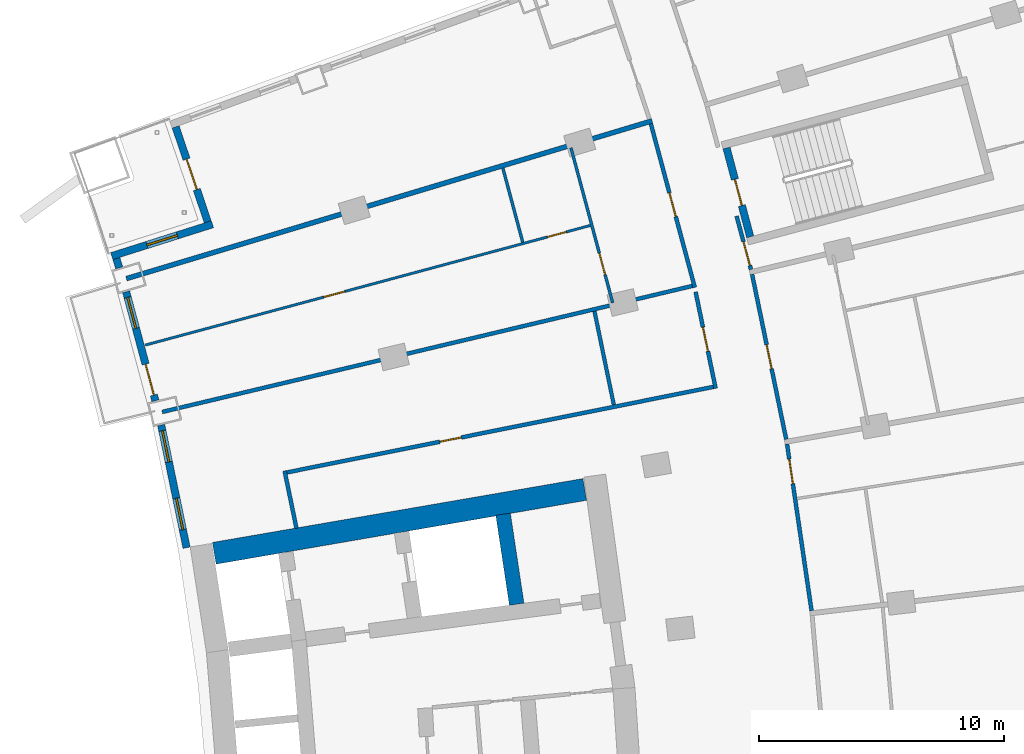
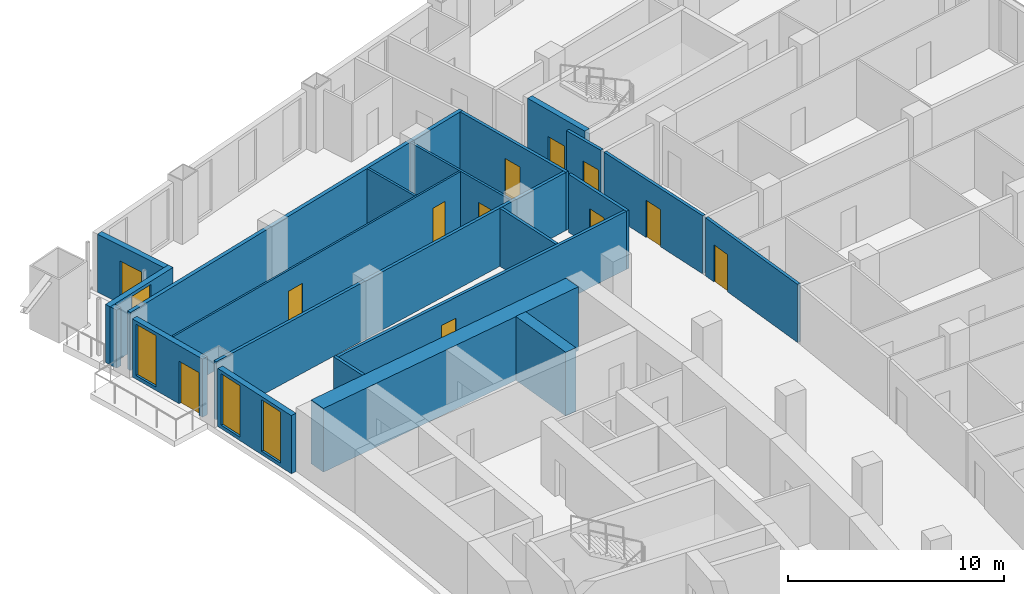
# One storey, part 19 of 25: 21 walls, 12 doors, 4 windows, 16 openings.
"""IFC4 building model written with IfcOpenShell, lengths in metres."""

from ifc_helpers import new_model, si_unit, direction, frame, frame_2d, origin, place, context, subcontext, project, spatial, rectangle, extrude, material, layer, layer_set, type_object, element, fill, save


model = new_model("IFC4")

# Units and contexts
model_context = context("Model", 3, precision=1e-05, world=origin(), true_north=direction((0.0, 1.0)))
body_context = subcontext(model_context, "Body", "Model", "MODEL_VIEW")
ifc_project = project(units=[si_unit("LENGTHUNIT", "METRE"), si_unit("AREAUNIT", "SQUARE_METRE"), si_unit("VOLUMEUNIT", "CUBIC_METRE"), si_unit("PLANEANGLEUNIT", "RADIAN"), si_unit("MASSUNIT", "GRAM", prefix="KILO")], contexts=[model_context])

# Site, building, storey
site_placement = place(None, origin())
site = spatial("IfcSite", under=ifc_project, at=site_placement, CompositionType="ELEMENT")
building_placement = place(site_placement, origin())
building = spatial("IfcBuilding", under=site, at=building_placement, Name="Alderwake Tower", CompositionType="ELEMENT")
storey_placement = place(building_placement, frame((0.0, 0.0, 46.39990234375)))
storey = spatial("IfcBuildingStorey", under=building, at=storey_placement, Name="L10", CompositionType="ELEMENT", Elevation=46.39990234375)

# Walls
ifc_material_1 = material(Name="Concrete C70/85", Category="concrete")
ifc_layer_1 = layer(ifc_material_1, 0.89990234375)
ifc_layer_set_1 = layer_set([ifc_layer_1], Name="Core wall outer 900 C70-85")
wall_type_1 = type_object("IfcWallType", Name="Core wall outer 900 C70-85", PredefinedType="SHEAR", material=ifc_layer_set_1)
wall_1_placement = place(storey_placement, frame((16.005615234375, 77.548828125, 0.0), z_axis=(0.0, 0.0, 1.0), x_axis=(0.985465815888, 0.169873852363, 0.0)))
element("IfcWall", 1, at=wall_1_placement, inside=storey, type_object=wall_type_1, Name="Core wall CW.053", PredefinedType="SHEAR", context=body_context, shape_type="SweptSolid", body=[
    extrude(rectangle(XDim=15.33056640625, YDim=0.89990234375, at=frame_2d((7.665283203125, 0.0))), origin(), (0.0, 0.0, 1.0), 3.60009765625),
])
ifc_material_2 = material(Name="Concrete C70/85", Category="concrete")
ifc_layer_2 = layer(ifc_material_2, 0.60009765625)
ifc_layer_set_2 = layer_set([ifc_layer_2], Name="Core wall spine 600 C70-85")
wall_type_2 = type_object("IfcWallType", Name="Core wall spine 600 C70-85", PredefinedType="SHEAR", material=ifc_layer_set_2)
wall_2_placement = place(storey_placement, frame((28.337646484375, 75.472412109375, 0.0), z_axis=(0.0, 0.0, 1.0), x_axis=(-0.149224787751, 0.988803298296, 0.0)))
element("IfcWall", 2, at=wall_2_placement, inside=storey, type_object=wall_type_2, Name="Core wall CW.001", PredefinedType="SHEAR", context=body_context, shape_type="SweptSolid", body=[
    extrude(rectangle(XDim=3.712158203125, YDim=0.60009765625, at=frame_2d((1.85595703125, 0.0))), origin(), (0.0, 0.0, 1.0), 3.60009765625),
])

# Wall, opening, door
ifc_material_3 = material(Name="Concrete C70/85", Category="concrete")
ifc_layer_3 = layer(ifc_material_3, 0.300048828125)
ifc_layer_set_3 = layer_set([ifc_layer_3], Name="Core wall stair enclosure 300 C70-85")
wall_type_3 = type_object("IfcWallType", Name="Core wall stair enclosure 300 C70-85", PredefinedType="SHEAR", material=ifc_layer_set_3)
wall_3_placement = place(storey_placement, frame((37.8603515625, 90.452392578125, 0.0), z_axis=(0.0, 0.0, 1.0), x_axis=(-0.257411420208, 0.966301899381, 0.0)))
wall_3 = element("IfcWall", 3, at=wall_3_placement, inside=storey, type_object=wall_type_3, Name="Core wall CW.083", PredefinedType="SHEAR", context=body_context, shape_type="SweptSolid", body=[
    extrude(rectangle(XDim=3.750244140625, YDim=0.300048828125, at=frame_2d((1.875, 0.0))), origin(), (0.0, 0.0, 1.0), 3.60009765625),
])
opening_1_placement = place(wall_3_placement, frame((1.324951171875, 0.0, 0.0)))
opening_1 = element("IfcOpeningElement", 4, at=opening_1_placement, cuts=wall_3, Name="Opening C062", PredefinedType="OPENING", context=body_context, shape_type="SweptSolid", body=[
    extrude(rectangle(XDim=1.10009765625, YDim=2.10009765625, at=frame_2d((0.550048828125, 1.050048828125))), frame((0.0, 0.159912109375, 0.0), z_axis=(0.0, -1.0, 0.0), x_axis=(1.0, 0.0, 0.0)), (0.0, 0.0, 1.0), 0.320068359375),
])
ifc_material_4 = material(Name="Steel-framed fire door leaf", Category="steel")
door_type_1 = type_object("IfcDoorType", Name="Core stair door 1100 fire-rated", OperationType="SINGLE_SWING_LEFT", PredefinedType="DOOR", material=ifc_material_4)
door_1_placement = place(opening_1_placement, origin())
door_1 = element("IfcDoor", 5, at=door_1_placement, inside=storey, type_object=door_type_1, Name="Stair door", OperationType="SINGLE_SWING_RIGHT", OverallHeight=2.10009765625, OverallWidth=1.10009765625, PredefinedType="DOOR", context=body_context, shape_type="SweptSolid", body=[
    extrude(rectangle(XDim=1.10009765625, YDim=2.10009765625, at=frame_2d((0.550048828125, 1.050048828125))), frame((0.0, 0.02490234375, 0.0), z_axis=(0.0, -1.0, 0.0), x_axis=(1.0, 0.0, 0.0)), (0.0, 0.0, 1.0), 0.050048828125),
])
fill(opening_1, door_1)

# Wall
ifc_material_5 = material(Name="Gypsum board on metal studs, rated")
ifc_layer_4 = layer(ifc_material_5, 0.159912109375)
ifc_layer_set_4 = layer_set([ifc_layer_4], Name="Corridor wall 160")
wall_type_4 = type_object("IfcWallType", Name="Corridor wall 160", PredefinedType="PARTITIONING", material=ifc_layer_set_4)
wall_4_placement = place(storey_placement, frame((18.874755859375, 80.910400390625, 0.0), z_axis=(0.0, 0.0, 1.0), x_axis=(0.202312089075, -0.979321100873, 0.0)))
element("IfcWall", 6, at=wall_4_placement, inside=storey, type_object=wall_type_4, Name="WL/L10/W16", PredefinedType="PARTITIONING", context=body_context, shape_type="SweptSolid", body=[
    extrude(rectangle(XDim=2.39306640625, YDim=0.159912109375, at=frame_2d((1.196533203125, 0.0))), origin(), (0.0, 0.0, 1.0), 3.280029296875),
])

# Wall, opening, door
wall_5_placement = place(storey_placement, frame((35.600830078125, 88.392578125, 0.0), z_axis=(0.0, 0.0, 1.0), x_axis=(-0.2593979597, 0.965770520622, 0.0)))
wall_5 = element("IfcWall", 7, at=wall_5_placement, inside=storey, type_object=wall_type_4, Name="WL/L10/W21", PredefinedType="PARTITIONING", context=body_context, shape_type="SweptSolid", body=[
    extrude(rectangle(XDim=6.9072265625, YDim=0.159912109375, at=frame_2d((3.45361328125, 0.0))), origin(), (0.0, 0.0, 1.0), 3.280029296875),
])
opening_2_placement = place(wall_5_placement, frame((2.9931640625, 0.0, 0.0)))
opening_2 = element("IfcOpeningElement", 8, at=opening_2_placement, cuts=wall_5, Name="Opening R02-U13.1", PredefinedType="OPENING", context=body_context, shape_type="SweptSolid", body=[
    extrude(rectangle(XDim=1.0, YDim=2.10009765625, at=frame_2d((0.5, 1.050048828125))), frame((0.0, 0.08984375, 0.0), z_axis=(0.0, -1.0, 0.0), x_axis=(1.0, 0.0, 0.0)), (0.0, 0.0, 1.0), 0.179931640625),
])
ifc_material_6 = material(Name="Solid timber leaf in steel frame", Category="steel")
door_type_2 = type_object("IfcDoorType", Name="Flat entrance door 1000 fire-rated", OperationType="SINGLE_SWING_LEFT", PredefinedType="DOOR", material=ifc_material_6)
door_2_placement = place(opening_2_placement, origin())
door_2 = element("IfcDoor", 9, at=door_2_placement, inside=storey, type_object=door_type_2, Name="DR/L10/U13.1", OperationType="SINGLE_SWING_LEFT", OverallHeight=2.10009765625, OverallWidth=1.0, PredefinedType="DOOR", context=body_context, shape_type="SweptSolid", body=[
    extrude(rectangle(XDim=1.0, YDim=2.10009765625, at=frame_2d((0.5, 1.050048828125))), frame((0.0, 0.02490234375, 0.0), z_axis=(0.0, -1.0, 0.0), x_axis=(1.0, 0.0, 0.0)), (0.0, 0.0, 1.0), 0.050048828125),
])
fill(opening_2, door_2)

# Wall
wall_6_placement = place(storey_placement, frame((35.502197265625, 88.451416015625, 0.0), z_axis=(0.0, 0.0, 1.0), x_axis=(-0.972894913244, -0.231247676278, 0.0)))
element("IfcWall", 10, at=wall_6_placement, inside=storey, type_object=wall_type_4, Name="WL/L10/W23", PredefinedType="PARTITIONING", context=body_context, shape_type="SweptSolid", body=[
    extrude(rectangle(XDim=22.220458984375, YDim=0.159912109375, at=frame_2d((11.1103515625, 0.0))), origin(), (0.0, 0.0, 1.0), 3.280029296875),
])

# Wall, opening, door
wall_7_placement = place(storey_placement, frame((36.451416015625, 84.272705078125, 0.0), z_axis=(0.0, 0.0, 1.0), x_axis=(-0.203258199701, 0.979125172924, 0.0)))
wall_7 = element("IfcWall", 11, at=wall_7_placement, inside=storey, type_object=wall_type_4, Name="WL/L10/W24", PredefinedType="PARTITIONING", context=body_context, shape_type="SweptSolid", body=[
    extrude(rectangle(XDim=4.020263671875, YDim=0.159912109375, at=frame_2d((2.01025390625, 0.0))), origin(), (0.0, 0.0, 1.0), 3.280029296875),
])
opening_3_placement = place(wall_7_placement, frame((1.549560546875, 0.0, 0.0)))
opening_3 = element("IfcOpeningElement", 12, at=opening_3_placement, cuts=wall_7, Name="Opening R02-SBN2", PredefinedType="OPENING", context=body_context, shape_type="SweptSolid", body=[
    extrude(rectangle(XDim=1.0, YDim=2.10009765625, at=frame_2d((0.5, 1.050048828125))), frame((0.0, 0.08984375, 0.0), z_axis=(0.0, -1.0, 0.0), x_axis=(1.0, 0.0, 0.0)), (0.0, 0.0, 1.0), 0.179931640625),
])
ifc_material_7 = material(Name="Steel-framed fire door leaf", Category="steel")
door_type_3 = type_object("IfcDoorType", Name="Plant room door 1000 fire-rated", OperationType="SINGLE_SWING_LEFT", PredefinedType="DOOR", material=ifc_material_7)
door_3_placement = place(opening_3_placement, origin())
door_3 = element("IfcDoor", 13, at=door_3_placement, inside=storey, type_object=door_type_3, Name="DR/L10/SBN2", OperationType="SINGLE_SWING_LEFT", OverallHeight=2.10009765625, OverallWidth=1.0, PredefinedType="DOOR", context=body_context, shape_type="SweptSolid", body=[
    extrude(rectangle(XDim=1.0, YDim=2.10009765625, at=frame_2d((0.5, 1.050048828125))), frame((0.0, 0.02490234375, 0.0), z_axis=(0.0, -1.0, 0.0), x_axis=(1.0, 0.0, 0.0)), (0.0, 0.0, 1.0), 0.050048828125),
])
fill(opening_3, door_3)

wall_8_placement = place(storey_placement, frame((18.969482421875, 80.84765625, 0.0), z_axis=(0.0, 0.0, 1.0), x_axis=(0.980470914622, 0.196664144112, 0.0)))
wall_8 = element("IfcWall", 14, at=wall_8_placement, inside=storey, type_object=wall_type_4, Name="WL/L10/W28", PredefinedType="PARTITIONING", context=body_context, shape_type="SweptSolid", body=[
    extrude(rectangle(XDim=17.733642578125, YDim=0.159912109375, at=frame_2d((8.86669921875, 0.0))), origin(), (0.0, 0.0, 1.0), 3.280029296875),
])
opening_4_placement = place(wall_8_placement, frame((6.35693359375, 0.0, 0.0)))
opening_4 = element("IfcOpeningElement", 15, at=opening_4_placement, cuts=wall_8, Name="Opening R02-SBN1", PredefinedType="OPENING", context=body_context, shape_type="SweptSolid", body=[
    extrude(rectangle(XDim=0.89990234375, YDim=2.10009765625, at=frame_2d((0.449951171875, 1.050048828125))), frame((0.0, 0.08984375, 0.0), z_axis=(0.0, -1.0, 0.0), x_axis=(1.0, 0.0, 0.0)), (0.0, 0.0, 1.0), 0.179931640625),
])
ifc_material_8 = material(Name="Painted timber leaf", Category="wood")
door_type_4 = type_object("IfcDoorType", Name="Room door 900", OperationType="SINGLE_SWING_LEFT", PredefinedType="DOOR", material=ifc_material_8)
door_4_placement = place(opening_4_placement, origin())
door_4 = element("IfcDoor", 16, at=door_4_placement, inside=storey, type_object=door_type_4, Name="DR/L10/SBN1", OperationType="SINGLE_SWING_LEFT", OverallHeight=2.10009765625, OverallWidth=0.89990234375, PredefinedType="DOOR", context=body_context, shape_type="SweptSolid", body=[
    extrude(rectangle(XDim=0.89990234375, YDim=2.10009765625, at=frame_2d((0.449951171875, 1.050048828125))), frame((0.0, 0.02490234375, 0.0), z_axis=(0.0, -1.0, 0.0), x_axis=(1.0, 0.0, 0.0)), (0.0, 0.0, 1.0), 0.050048828125),
])
fill(opening_4, door_4)

wall_9_placement = place(storey_placement, frame((37.304931640625, 91.299072265625, 0.0), z_axis=(0.0, 0.0, 1.0), x_axis=(0.259946294884, -0.965623075416, 0.0)))
wall_9 = element("IfcWall", 17, at=wall_9_placement, inside=storey, type_object=wall_type_4, Name="WL/L10/W32", PredefinedType="PARTITIONING", context=body_context, shape_type="SweptSolid", body=[
    extrude(rectangle(XDim=2.255126953125, YDim=0.159912109375, at=frame_2d((1.12744140625, 0.0))), origin(), (0.0, 0.0, 1.0), 3.280029296875),
])
opening_5_placement = place(wall_9_placement, frame((1.083984375, 0.0, 0.0)))
opening_5 = element("IfcOpeningElement", 18, at=opening_5_placement, cuts=wall_9, Name="Opening R02-U02.1", PredefinedType="OPENING", context=body_context, shape_type="SweptSolid", body=[
    extrude(rectangle(XDim=1.0, YDim=2.10009765625, at=frame_2d((0.5, 1.050048828125))), frame((0.0, 0.08984375, 0.0), z_axis=(0.0, -1.0, 0.0), x_axis=(1.0, 0.0, 0.0)), (0.0, 0.0, 1.0), 0.179931640625),
])
door_5_placement = place(opening_5_placement, origin())
door_5 = element("IfcDoor", 19, at=door_5_placement, inside=storey, type_object=door_type_2, Name="DR/L10/U02.1", OperationType="SINGLE_SWING_LEFT", OverallHeight=2.10009765625, OverallWidth=1.0, PredefinedType="DOOR", context=body_context, shape_type="SweptSolid", body=[
    extrude(rectangle(XDim=1.0, YDim=2.10009765625, at=frame_2d((0.5, 1.050048828125))), frame((0.0, 0.02490234375, 0.0), z_axis=(0.0, -1.0, 0.0), x_axis=(1.0, 0.0, 0.0)), (0.0, 0.0, 1.0), 0.050048828125),
])
fill(opening_5, door_5)

wall_10_placement = place(storey_placement, frame((37.937255859375, 88.927001953125, 0.0), z_axis=(0.0, 0.0, 1.0), x_axis=(0.20241288737, -0.979300272147, 0.0)))
wall_10 = element("IfcWall", 20, at=wall_10_placement, inside=storey, type_object=wall_type_4, Name="WL/L10/W34", PredefinedType="PARTITIONING", context=body_context, shape_type="SweptSolid", body=[
    extrude(rectangle(XDim=6.870361328125, YDim=0.159912109375, at=frame_2d((3.43505859375, 0.0))), origin(), (0.0, 0.0, 1.0), 3.280029296875),
])
opening_6_placement = place(wall_10_placement, frame((2.93505859375, 0.0, 0.0)))
opening_6 = element("IfcOpeningElement", 21, at=opening_6_placement, cuts=wall_10, Name="Opening R02-U10.2", PredefinedType="OPENING", context=body_context, shape_type="SweptSolid", body=[
    extrude(rectangle(XDim=1.0, YDim=2.10009765625, at=frame_2d((0.5, 1.050048828125))), frame((0.0, 0.08984375, 0.0), z_axis=(0.0, -1.0, 0.0), x_axis=(1.0, 0.0, 0.0)), (0.0, 0.0, 1.0), 0.179931640625),
])
door_6_placement = place(opening_6_placement, origin())
door_6 = element("IfcDoor", 22, at=door_6_placement, inside=storey, type_object=door_type_2, Name="DR/L10/U10.2", OperationType="SINGLE_SWING_LEFT", OverallHeight=2.10009765625, OverallWidth=1.0, PredefinedType="DOOR", context=body_context, shape_type="SweptSolid", body=[
    extrude(rectangle(XDim=1.0, YDim=2.10009765625, at=frame_2d((0.5, 1.050048828125))), frame((0.0, 0.02490234375, 0.0), z_axis=(0.0, -1.0, 0.0), x_axis=(1.0, 0.0, 0.0)), (0.0, 0.0, 1.0), 0.050048828125),
])
fill(opening_6, door_6)

wall_11_placement = place(storey_placement, frame((39.362548828125, 82.001953125, 0.0), z_axis=(0.0, 0.0, 1.0), x_axis=(0.145565626222, -0.98934859805, 0.0)))
wall_11 = element("IfcWall", 23, at=wall_11_placement, inside=storey, type_object=wall_type_4, Name="WL/L10/W35", PredefinedType="PARTITIONING", context=body_context, shape_type="SweptSolid", body=[
    extrude(rectangle(XDim=6.8681640625, YDim=0.159912109375, at=frame_2d((3.43408203125, 0.0))), origin(), (0.0, 0.0, 1.0), 3.280029296875),
])
opening_7_placement = place(wall_11_placement, frame((0.627685546875, 0.0, 0.0)))
opening_7 = element("IfcOpeningElement", 24, at=opening_7_placement, cuts=wall_11, Name="Opening R02-U09.3", PredefinedType="OPENING", context=body_context, shape_type="SweptSolid", body=[
    extrude(rectangle(XDim=1.0, YDim=2.10009765625, at=frame_2d((0.5, 1.050048828125))), frame((0.0, 0.08984375, 0.0), z_axis=(0.0, -1.0, 0.0), x_axis=(1.0, 0.0, 0.0)), (0.0, 0.0, 1.0), 0.179931640625),
])
door_7_placement = place(opening_7_placement, origin())
door_7 = element("IfcDoor", 25, at=door_7_placement, inside=storey, type_object=door_type_2, Name="DR/L10/U09.3", OperationType="SINGLE_SWING_LEFT", OverallHeight=2.10009765625, OverallWidth=1.0, PredefinedType="DOOR", context=body_context, shape_type="SweptSolid", body=[
    extrude(rectangle(XDim=1.0, YDim=2.10009765625, at=frame_2d((0.5, 1.050048828125))), frame((0.0, 0.02490234375, 0.0), z_axis=(0.0, -1.0, 0.0), x_axis=(1.0, 0.0, 0.0)), (0.0, 0.0, 1.0), 0.050048828125),
])
fill(opening_7, door_7)

# Wall
ifc_material_9 = material(Name="Precast concrete C50/60 spandrel panel", Category="concrete")
ifc_layer_5 = layer(ifc_material_9, 0.300048828125)
ifc_layer_set_5 = layer_set([ifc_layer_5], Name="External wall EW1 Precast concrete C50/60 spandrel")
wall_type_5 = type_object("IfcWallType", Name="External wall EW1 Precast concrete C50/60 spandrel", PredefinedType="SOLIDWALL", material=ifc_layer_set_5)
wall_12_placement = place(storey_placement, frame((12.01416015625, 89.5703125, 0.0), z_axis=(0.0, 0.0, 1.0), x_axis=(0.29468230117, -0.955595281161, 0.0)))
element("IfcWall", 26, at=wall_12_placement, inside=storey, type_object=wall_type_5, Name="External wall 32", PredefinedType="SOLIDWALL", context=body_context, shape_type="SweptSolid", body=[
    extrude(rectangle(XDim=0.402587890625, YDim=0.300048828125, at=frame_2d((0.201171875, 0.0))), origin(), (0.0, 0.0, 1.0), 3.280029296875),
])

# Wall, openings, door, window
wall_13_placement = place(storey_placement, frame((12.4130859375, 88.212890625, 0.0), z_axis=(0.0, 0.0, 1.0), x_axis=(0.259495671332, -0.965744270788, 0.0)))
wall_13 = element("IfcWall", 27, at=wall_13_placement, inside=storey, type_object=wall_type_5, Name="External wall 33", PredefinedType="SOLIDWALL", context=body_context, shape_type="SweptSolid", body=[
    extrude(rectangle(XDim=4.599609375, YDim=0.300048828125, at=frame_2d((2.2998046875, 0.0))), origin(), (0.0, 0.0, 1.0), 3.280029296875),
])
opening_8_placement = place(wall_13_placement, frame((0.2412109375, 0.0, 0.199951171875)))
opening_8 = element("IfcOpeningElement", 28, at=opening_8_placement, cuts=wall_13, Name="Opening W1", PredefinedType="OPENING", context=body_context, shape_type="SweptSolid", body=[
    extrude(rectangle(XDim=1.300048828125, YDim=2.89990234375, at=frame_2d((0.64990234375, 1.449951171875))), frame((0.0, 0.159912109375, 0.0), z_axis=(0.0, -1.0, 0.0), x_axis=(1.0, 0.0, 0.0)), (0.0, 0.0, 1.0), 0.320068359375),
])
opening_9_placement = place(wall_13_placement, frame((3.058349609375, 0.0, 0.0)))
opening_9 = element("IfcOpeningElement", 29, at=opening_9_placement, cuts=wall_13, Name="Opening D15", PredefinedType="OPENING", context=body_context, shape_type="SweptSolid", body=[
    extrude(rectangle(XDim=1.300048828125, YDim=2.39990234375, at=frame_2d((0.64990234375, 1.199951171875))), frame((0.0, 0.159912109375, 0.0), z_axis=(0.0, -1.0, 0.0), x_axis=(1.0, 0.0, 0.0)), (0.0, 0.0, 1.0), 0.320068359375),
])
ifc_material_10 = material(Name="Bronze tinted glass in aluminium frame", Category="aluminium")
door_type_5 = type_object("IfcDoorType", Name="Balcony door BD sliding", OperationType="SLIDING_TO_LEFT", PredefinedType="DOOR", material=ifc_material_10)
door_8_placement = place(opening_9_placement, origin())
door_8 = element("IfcDoor", 30, at=door_8_placement, inside=storey, type_object=door_type_5, Name="Door D15", OperationType="SLIDING_TO_LEFT", OverallHeight=2.39990234375, OverallWidth=1.300048828125, PredefinedType="DOOR", context=body_context, shape_type="SweptSolid", body=[
    extrude(rectangle(XDim=1.300048828125, YDim=2.39990234375, at=frame_2d((0.64990234375, 1.199951171875))), frame((0.0, 0.02490234375, 0.0), z_axis=(0.0, -1.0, 0.0), x_axis=(1.0, 0.0, 0.0)), (0.0, 0.0, 1.0), 0.050048828125),
])
fill(opening_9, door_8)
ifc_material_11 = material(Name="Bronze tinted glass in aluminium frame", Category="aluminium")
window_type = type_object("IfcWindowType", Name="Window W1 tall fixed and vent", PartitioningType="DOUBLE_PANEL_VERTICAL", PredefinedType="WINDOW", material=ifc_material_11)
window_1_placement = place(opening_8_placement, origin())
window_1 = element("IfcWindow", 31, at=window_1_placement, inside=storey, type_object=window_type, Name="Window W1 tall fixed and vent", OverallHeight=2.89990234375, OverallWidth=1.300048828125, PartitioningType="DOUBLE_PANEL_VERTICAL", PredefinedType="WINDOW", context=body_context, shape_type="SweptSolid", body=[
    extrude(rectangle(XDim=1.300048828125, YDim=2.89990234375, at=frame_2d((0.64990234375, 1.449951171875))), frame((0.0, 0.030029296875, 0.0), z_axis=(0.0, -1.0, 0.0), x_axis=(1.0, 0.0, 0.0)), (0.0, 0.0, 1.0), 0.06005859375),
])
fill(opening_8, window_1)

# Wall, openings, windows
wall_14_placement = place(storey_placement, frame((13.842529296875, 82.77880859375, 0.0), z_axis=(0.0, 0.0, 1.0), x_axis=(0.202738354746, -0.979232944459, 0.0)))
wall_14 = element("IfcWall", 32, at=wall_14_placement, inside=storey, type_object=wall_type_5, Name="External wall 34", PredefinedType="SOLIDWALL", context=body_context, shape_type="SweptSolid", body=[
    extrude(rectangle(XDim=5.1083984375, YDim=0.300048828125, at=frame_2d((2.55419921875, 0.0))), origin(), (0.0, 0.0, 1.0), 3.280029296875),
])
opening_10_placement = place(wall_14_placement, frame((0.239013671875, 0.0, 0.199951171875)))
opening_10 = element("IfcOpeningElement", 33, at=opening_10_placement, cuts=wall_14, Name="Opening W1", PredefinedType="OPENING", context=body_context, shape_type="SweptSolid", body=[
    extrude(rectangle(XDim=1.300048828125, YDim=2.89990234375, at=frame_2d((0.64990234375, 1.449951171875))), frame((0.0, 0.159912109375, 0.0), z_axis=(0.0, -1.0, 0.0), x_axis=(1.0, 0.0, 0.0)), (0.0, 0.0, 1.0), 0.320068359375),
])
opening_11_placement = place(wall_14_placement, frame((3.0517578125, 0.0, 0.199951171875)))
opening_11 = element("IfcOpeningElement", 34, at=opening_11_placement, cuts=wall_14, Name="Opening W1", PredefinedType="OPENING", context=body_context, shape_type="SweptSolid", body=[
    extrude(rectangle(XDim=1.300048828125, YDim=2.89990234375, at=frame_2d((0.64990234375, 1.449951171875))), frame((0.0, 0.159912109375, 0.0), z_axis=(0.0, -1.0, 0.0), x_axis=(1.0, 0.0, 0.0)), (0.0, 0.0, 1.0), 0.320068359375),
])
window_2_placement = place(opening_10_placement, origin())
window_2 = element("IfcWindow", 35, at=window_2_placement, inside=storey, type_object=window_type, Name="Window W1 tall fixed and vent", OverallHeight=2.89990234375, OverallWidth=1.300048828125, PartitioningType="DOUBLE_PANEL_VERTICAL", PredefinedType="WINDOW", context=body_context, shape_type="SweptSolid", body=[
    extrude(rectangle(XDim=1.300048828125, YDim=2.89990234375, at=frame_2d((0.64990234375, 1.449951171875))), frame((0.0, 0.030029296875, 0.0), z_axis=(0.0, -1.0, 0.0), x_axis=(1.0, 0.0, 0.0)), (0.0, 0.0, 1.0), 0.06005859375),
])
fill(opening_10, window_2)
window_3_placement = place(opening_11_placement, origin())
window_3 = element("IfcWindow", 36, at=window_3_placement, inside=storey, type_object=window_type, Name="Window W1 tall fixed and vent", OverallHeight=2.89990234375, OverallWidth=1.300048828125, PartitioningType="DOUBLE_PANEL_VERTICAL", PredefinedType="WINDOW", context=body_context, shape_type="SweptSolid", body=[
    extrude(rectangle(XDim=1.300048828125, YDim=2.89990234375, at=frame_2d((0.64990234375, 1.449951171875))), frame((0.0, 0.030029296875, 0.0), z_axis=(0.0, -1.0, 0.0), x_axis=(1.0, 0.0, 0.0)), (0.0, 0.0, 1.0), 0.06005859375),
])
fill(opening_11, window_3)

# Wall, opening, door
ifc_material_12 = material(Name="Bronze metal cladding on lightweight framing")
ifc_layer_6 = layer(ifc_material_12, 0.300048828125)
ifc_layer_set_6 = layer_set([ifc_layer_6], Name="External wall EW2 bronze metal cladding")
wall_type_6 = type_object("IfcWallType", Name="External wall EW2 bronze metal cladding", PredefinedType="SOLIDWALL", material=ifc_layer_set_6)
wall_15_placement = place(storey_placement, frame((14.430908203125, 94.937744140625, 0.0), z_axis=(0.0, 0.0, 1.0), x_axis=(0.320379458656, -0.947289291859, 0.0)))
wall_15 = element("IfcWall", 37, at=wall_15_placement, inside=storey, type_object=wall_type_6, Name="External wall 30", PredefinedType="SOLIDWALL", context=body_context, shape_type="SweptSolid", body=[
    extrude(rectangle(XDim=4.08984375, YDim=0.300048828125, at=frame_2d((2.044921875, 0.0))), origin(), (0.0, 0.0, 1.0), 3.280029296875),
])
opening_12_placement = place(wall_15_placement, frame((1.39501953125, 0.0, 0.0)))
opening_12 = element("IfcOpeningElement", 38, at=opening_12_placement, cuts=wall_15, Name="Opening D14", PredefinedType="OPENING", context=body_context, shape_type="SweptSolid", body=[
    extrude(rectangle(XDim=1.300048828125, YDim=2.39990234375, at=frame_2d((0.64990234375, 1.199951171875))), frame((0.0, 0.159912109375, 0.0), z_axis=(0.0, -1.0, 0.0), x_axis=(1.0, 0.0, 0.0)), (0.0, 0.0, 1.0), 0.320068359375),
])
door_9_placement = place(opening_12_placement, origin())
door_9 = element("IfcDoor", 39, at=door_9_placement, inside=storey, type_object=door_type_5, Name="Door D14", OperationType="SLIDING_TO_LEFT", OverallHeight=2.39990234375, OverallWidth=1.300048828125, PredefinedType="DOOR", context=body_context, shape_type="SweptSolid", body=[
    extrude(rectangle(XDim=1.300048828125, YDim=2.39990234375, at=frame_2d((0.64990234375, 1.199951171875))), frame((0.0, 0.02490234375, 0.0), z_axis=(0.0, -1.0, 0.0), x_axis=(1.0, 0.0, 0.0)), (0.0, 0.0, 1.0), 0.050048828125),
])
fill(opening_12, door_9)

# Wall, opening, window
wall_16_placement = place(storey_placement, frame((15.932373046875, 90.966552734375, 0.0), z_axis=(0.0, 0.0, 1.0), x_axis=(-0.953473772386, -0.301475978103, 0.0)))
wall_16 = element("IfcWall", 40, at=wall_16_placement, inside=storey, type_object=wall_type_6, Name="External wall 31", PredefinedType="SOLIDWALL", context=body_context, shape_type="SweptSolid", body=[
    extrude(rectangle(XDim=4.305908203125, YDim=0.300048828125, at=frame_2d((2.15283203125, 0.0))), origin(), (0.0, 0.0, 1.0), 3.280029296875),
])
opening_13_placement = place(wall_16_placement, frame((1.5029296875, 0.0, 0.199951171875)))
opening_13 = element("IfcOpeningElement", 41, at=opening_13_placement, cuts=wall_16, Name="Opening W1", PredefinedType="OPENING", context=body_context, shape_type="SweptSolid", body=[
    extrude(rectangle(XDim=1.300048828125, YDim=2.89990234375, at=frame_2d((0.64990234375, 1.449951171875))), frame((0.0, 0.159912109375, 0.0), z_axis=(0.0, -1.0, 0.0), x_axis=(1.0, 0.0, 0.0)), (0.0, 0.0, 1.0), 0.320068359375),
])
window_4_placement = place(opening_13_placement, origin())
window_4 = element("IfcWindow", 42, at=window_4_placement, inside=storey, type_object=window_type, Name="Window W1 tall fixed and vent", OverallHeight=2.89990234375, OverallWidth=1.300048828125, PartitioningType="DOUBLE_PANEL_VERTICAL", PredefinedType="WINDOW", context=body_context, shape_type="SweptSolid", body=[
    extrude(rectangle(XDim=1.300048828125, YDim=2.89990234375, at=frame_2d((0.64990234375, 1.449951171875))), frame((0.0, 0.030029296875, 0.0), z_axis=(0.0, -1.0, 0.0), x_axis=(1.0, 0.0, 0.0)), (0.0, 0.0, 1.0), 0.06005859375),
])
fill(opening_13, window_4)

# Walls
ifc_material_13 = material(Name="Dense block masonry wall", Category="masonry")
ifc_layer_7 = layer(ifc_material_13, 0.199951171875)
ifc_layer_set_7 = layer_set([ifc_layer_7], Name="Party wall 200")
wall_type_7 = type_object("IfcWallType", Name="Party wall 200", PredefinedType="SOLIDWALL", material=ifc_layer_set_7)
wall_17_placement = place(storey_placement, frame((12.423095703125, 88.7490234375, 0.0), z_axis=(0.0, 0.0, 1.0), x_axis=(0.957787847597, 0.287475979859, 0.0)))
element("IfcWall", 43, at=wall_17_placement, inside=storey, type_object=wall_type_7, Name="WL/L10/W01", PredefinedType="SOLIDWALL", context=body_context, shape_type="SweptSolid", body=[
    extrude(rectangle(XDim=22.38134765625, YDim=0.199951171875, at=frame_2d((11.190673828125, 0.0))), origin(), (0.0, 0.0, 1.0), 3.280029296875),
])
ifc_material_14 = material(Name="Gypsum shaft wall system, rated")
ifc_layer_8 = layer(ifc_material_14, 0.14990234375)
ifc_layer_set_8 = layer_set([ifc_layer_8], Name="Riser and shaft wall 150")
wall_type_8 = type_object("IfcWallType", Name="Riser and shaft wall 150", PredefinedType="PARTITIONING", material=ifc_layer_set_8)
wall_18_placement = place(storey_placement, frame((32.2998046875, 83.601318359375, 0.0), z_axis=(0.0, 0.0, 1.0), x_axis=(-0.202493797034, 0.979283545334, 0.0)))
element("IfcWall", 44, at=wall_18_placement, inside=storey, type_object=wall_type_8, Name="WL/L10/W13", PredefinedType="PARTITIONING", context=body_context, shape_type="SweptSolid", body=[
    extrude(rectangle(XDim=3.899169921875, YDim=0.14990234375, at=frame_2d((1.94970703125, 0.0))), origin(), (0.0, 0.0, 1.0), 3.280029296875),
])

# Wall, openings, doors
ifc_material_15 = material(Name="Gypsum board on metal studs")
ifc_layer_9 = layer(ifc_material_15, 0.10009765625)
ifc_layer_set_9 = layer_set([ifc_layer_9], Name="Unit partition 100")
wall_type_9 = type_object("IfcWallType", Name="Unit partition 100", PredefinedType="PARTITIONING", material=ifc_layer_set_9)
wall_19_placement = place(storey_placement, frame((13.194091796875, 86.0400390625, 0.0), z_axis=(0.0, 0.0, 1.0), x_axis=(0.965722811098, 0.259575522968, 0.0)))
wall_19 = element("IfcWall", 45, at=wall_19_placement, inside=storey, type_object=wall_type_9, Name="WL/L10/W64", PredefinedType="PARTITIONING", context=body_context, shape_type="SweptSolid", body=[
    extrude(rectangle(XDim=18.7900390625, YDim=0.10009765625, at=frame_2d((9.39501953125, 0.0))), origin(), (0.0, 0.0, 1.0), 3.280029296875),
])
opening_14_placement = place(wall_19_placement, frame((16.971435546875, 0.0, 0.0)))
opening_14 = element("IfcOpeningElement", 46, at=opening_14_placement, cuts=wall_19, Name="Opening R02-U13.3", PredefinedType="OPENING", context=body_context, shape_type="SweptSolid", body=[
    extrude(rectangle(XDim=0.800048828125, YDim=2.10009765625, at=frame_2d((0.39990234375, 1.050048828125))), frame((0.0, 0.06005859375, 0.0), z_axis=(0.0, -1.0, 0.0), x_axis=(1.0, 0.0, 0.0)), (0.0, 0.0, 1.0), 0.1201171875),
])
opening_15_placement = place(wall_19_placement, frame((7.526611328125, 0.0, 0.0)))
opening_15 = element("IfcOpeningElement", 47, at=opening_15_placement, cuts=wall_19, Name="Opening R02-U13.4", PredefinedType="OPENING", context=body_context, shape_type="SweptSolid", body=[
    extrude(rectangle(XDim=0.89990234375, YDim=2.10009765625, at=frame_2d((0.449951171875, 1.050048828125))), frame((0.0, 0.06005859375, 0.0), z_axis=(0.0, -1.0, 0.0), x_axis=(1.0, 0.0, 0.0)), (0.0, 0.0, 1.0), 0.1201171875),
])
ifc_material_16 = material(Name="Painted timber leaf", Category="wood")
door_type_6 = type_object("IfcDoorType", Name="Bathroom door 800", OperationType="SINGLE_SWING_LEFT", PredefinedType="DOOR", material=ifc_material_16)
door_10_placement = place(opening_14_placement, origin())
door_10 = element("IfcDoor", 48, at=door_10_placement, inside=storey, type_object=door_type_6, Name="DR/L10/U13.3", OperationType="SINGLE_SWING_LEFT", OverallHeight=2.10009765625, OverallWidth=0.800048828125, PredefinedType="DOOR", context=body_context, shape_type="SweptSolid", body=[
    extrude(rectangle(XDim=0.800048828125, YDim=2.10009765625, at=frame_2d((0.39990234375, 1.050048828125))), frame((0.0, 0.02490234375, 0.0), z_axis=(0.0, -1.0, 0.0), x_axis=(1.0, 0.0, 0.0)), (0.0, 0.0, 1.0), 0.050048828125),
])
fill(opening_14, door_10)
door_11_placement = place(opening_15_placement, origin())
door_11 = element("IfcDoor", 49, at=door_11_placement, inside=storey, type_object=door_type_4, Name="DR/L10/U13.4", OperationType="SINGLE_SWING_LEFT", OverallHeight=2.10009765625, OverallWidth=0.89990234375, PredefinedType="DOOR", context=body_context, shape_type="SweptSolid", body=[
    extrude(rectangle(XDim=0.89990234375, YDim=2.10009765625, at=frame_2d((0.449951171875, 1.050048828125))), frame((0.0, 0.02490234375, 0.0), z_axis=(0.0, -1.0, 0.0), x_axis=(1.0, 0.0, 0.0)), (0.0, 0.0, 1.0), 0.050048828125),
])
fill(opening_15, door_11)

# Wall
ifc_material_17 = material(Name="Moisture resistant gypsum board on metal studs")
ifc_layer_10 = layer(ifc_material_17, 0.1201171875)
ifc_layer_set_10 = layer_set([ifc_layer_10], Name="Wet room partition 120")
wall_type_10 = type_object("IfcWallType", Name="Wet room partition 120", PredefinedType="PARTITIONING", material=ifc_layer_set_10)
wall_20_placement = place(storey_placement, frame((27.77587890625, 93.25146484375, 0.0), z_axis=(0.0, 0.0, 1.0), x_axis=(0.258890741102, -0.965906612552, 0.0)))
element("IfcWall", 50, at=wall_20_placement, inside=storey, type_object=wall_type_10, Name="WL/L10/W40", PredefinedType="PARTITIONING", context=body_context, shape_type="SweptSolid", body=[
    extrude(rectangle(XDim=3.1298828125, YDim=0.1201171875, at=frame_2d((1.56494140625, 0.0))), origin(), (0.0, 0.0, 1.0), 3.280029296875),
])

# Wall, opening, door
wall_21_placement = place(storey_placement, frame((32.253173828125, 87.76123046875, 0.0), z_axis=(0.0, 0.0, 1.0), x_axis=(-0.259898609198, 0.965635911168, 0.0)))
wall_21 = element("IfcWall", 51, at=wall_21_placement, inside=storey, type_object=wall_type_10, Name="WL/L10/W44", PredefinedType="PARTITIONING", context=body_context, shape_type="SweptSolid", body=[
    extrude(rectangle(XDim=6.54931640625, YDim=0.1201171875, at=frame_2d((3.274658203125, 0.0))), origin(), (0.0, 0.0, 1.0), 3.280029296875),
])
opening_16_placement = place(wall_21_placement, frame((1.1923828125, 0.0, 0.0)))
opening_16 = element("IfcOpeningElement", 52, at=opening_16_placement, cuts=wall_21, Name="Opening R02-U13.2", PredefinedType="OPENING", context=body_context, shape_type="SweptSolid", body=[
    extrude(rectangle(XDim=0.89990234375, YDim=2.10009765625, at=frame_2d((0.449951171875, 1.050048828125))), frame((0.0, 0.070068359375, 0.0), z_axis=(0.0, -1.0, 0.0), x_axis=(1.0, 0.0, 0.0)), (0.0, 0.0, 1.0), 0.14013671875),
])
door_12_placement = place(opening_16_placement, origin())
door_12 = element("IfcDoor", 53, at=door_12_placement, inside=storey, type_object=door_type_4, Name="DR/L10/U13.2", OperationType="SINGLE_SWING_LEFT", OverallHeight=2.10009765625, OverallWidth=0.89990234375, PredefinedType="DOOR", context=body_context, shape_type="SweptSolid", body=[
    extrude(rectangle(XDim=0.89990234375, YDim=2.10009765625, at=frame_2d((0.449951171875, 1.050048828125))), frame((0.0, 0.02490234375, 0.0), z_axis=(0.0, -1.0, 0.0), x_axis=(1.0, 0.0, 0.0)), (0.0, 0.0, 1.0), 0.050048828125),
])
fill(opening_16, door_12)

save(model, "model.ifc")
